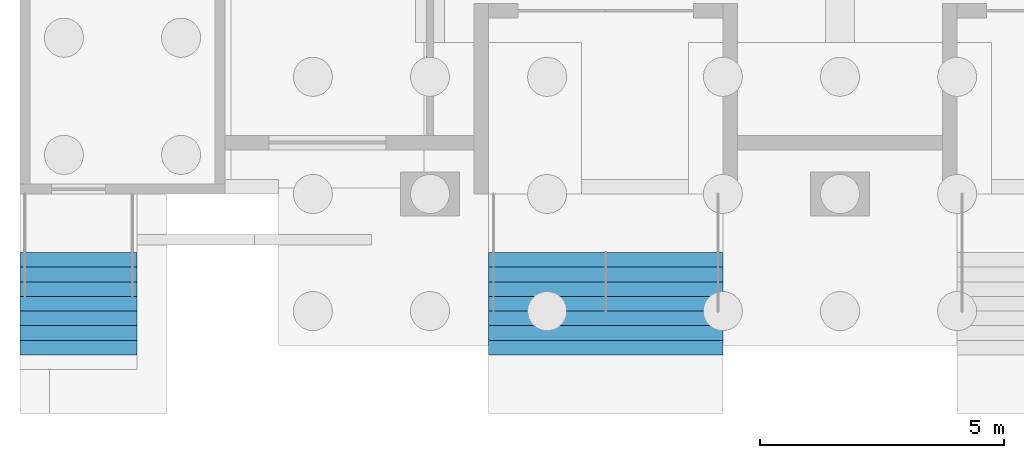
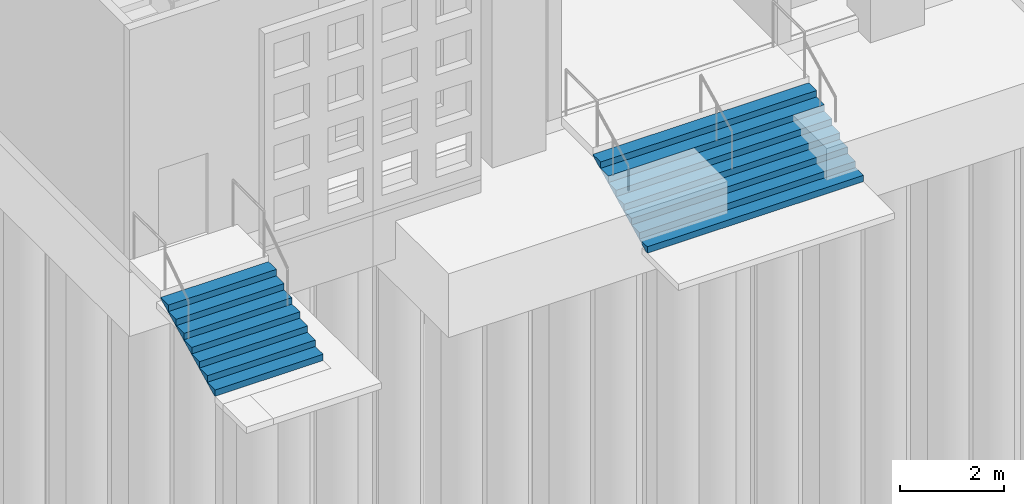
# One storey, part 59 of 129: 2 stair flights, 2 elements without a shape of their own.
"""IFC4 building model written with IfcOpenShell, lengths in metres."""

from ifc_helpers import new_model, si_unit, direction, frame, origin, place, context, subcontext, project, spatial, faceted_brep, material, type_object, element, aggregate, save


model = new_model("IFC4")

# Units and contexts
model_context = context("Model", 3, precision=1e-05, world=origin(), true_north=direction((0.0, 1.0)))
body_context = subcontext(model_context, "Body", "Model", "MODEL_VIEW")
ifc_project = project(units=[si_unit("LENGTHUNIT", "METRE"), si_unit("AREAUNIT", "SQUARE_METRE"), si_unit("VOLUMEUNIT", "CUBIC_METRE"), si_unit("PLANEANGLEUNIT", "RADIAN"), si_unit("MASSUNIT", "GRAM", prefix="KILO")], contexts=[model_context])

# Site, building, storey
site_placement = place(None, origin())
site = spatial("IfcSite", under=ifc_project, at=site_placement, CompositionType="ELEMENT")
building_placement = place(site_placement, origin())
building = spatial("IfcBuilding", under=site, at=building_placement, Name="Kiln Court Media Centre", CompositionType="ELEMENT")
storey_placement = place(building_placement, origin())
storey = spatial("IfcBuildingStorey", under=building, at=storey_placement, Name="L00", CompositionType="ELEMENT", Elevation=0.0)

# Stair, stair flight
ifc_material_1 = material(Name="Concrete C30/37", Category="concrete")
stair_type_1 = type_object("IfcStairType", Name="Concrete C30/37 entrance steps 4800 wide", PredefinedType="STRAIGHT_RUN_STAIR", material=ifc_material_1)
stair_1_placement = place(storey_placement, origin())
stair_1 = element("IfcStair", 1, at=stair_1_placement, inside=storey, type_object=stair_type_1, Name="EN-01 street porch steps", PredefinedType="STRAIGHT_RUN_STAIR")
ifc_material_2 = material(Name="Concrete C30/37", Category="concrete")
stair_flight_type_1 = type_object("IfcStairFlightType", Name="Concrete C30/37 entrance steps 4800 wide flight", PredefinedType="STRAIGHT", material=ifc_material_2)
stair_flight_1_placement = place(storey_placement, frame((12.0, -3.300048828125, -1.199951171875), z_axis=(0.0, 0.0, 1.0), x_axis=(0.0, 1.0, 0.0)))
stair_flight_1 = element("IfcStairFlight", 2, at=stair_flight_1_placement, type_object=stair_flight_type_1, Name="ST-A1 flight 1", NumberOfRisers=8, NumberOfTreads=7, PredefinedType="STRAIGHT", RiserHeight=0.15, TreadLength=0.3, context=body_context, shape_type="Brep", body=[
    faceted_brep([(0.044677734375, -2.39990234375, 0.0), (2.10009765625, -2.39990234375, 1.027587890625), (2.10009765625, -2.39990234375, 1.050048828125), (1.800048828125, -2.39990234375, 1.050048828125), (1.800048828125, -2.39990234375, 0.89990234375), (1.5, -2.39990234375, 0.89990234375), (1.5, -2.39990234375, 0.75), (1.199951171875, -2.39990234375, 0.75), (1.199951171875, -2.39990234375, 0.60009765625), (0.89990234375, -2.39990234375, 0.60009765625), (0.89990234375, -2.39990234375, 0.449951171875), (0.60009765625, -2.39990234375, 0.449951171875), (0.60009765625, -2.39990234375, 0.300048828125), (0.300048828125, -2.39990234375, 0.300048828125), (0.300048828125, -2.39990234375, 0.14990234375), (0.0, -2.39990234375, 0.14990234375), (0.0, -2.39990234375, 0.0), (0.0, 2.39990234375, 0.0), (0.0, 2.39990234375, 0.14990234375), (0.300048828125, 2.39990234375, 0.14990234375), (0.300048828125, 2.39990234375, 0.300048828125), (0.60009765625, 2.39990234375, 0.300048828125), (0.60009765625, 2.39990234375, 0.449951171875), (0.89990234375, 2.39990234375, 0.449951171875), (0.89990234375, 2.39990234375, 0.60009765625), (1.199951171875, 2.39990234375, 0.60009765625), (1.199951171875, 2.39990234375, 0.75), (1.5, 2.39990234375, 0.75), (1.5, 2.39990234375, 0.89990234375), (1.800048828125, 2.39990234375, 0.89990234375), (1.800048828125, 2.39990234375, 1.050048828125), (2.10009765625, 2.39990234375, 1.050048828125), (2.10009765625, 2.39990234375, 1.027587890625), (0.044677734375, 2.39990234375, 0.0), (2.10009765625, 0.10009765625, 1.027587890625), (0.044677734375, 0.10009765625, 0.0), (2.10009765625, 0.080078125, 1.027587890625), (0.044677734375, 0.080078125, 0.0), (2.10009765625, 0.06005859375, 1.027587890625), (0.044677734375, 0.06005859375, 0.0), (2.10009765625, 0.0400390625, 1.027587890625), (0.044677734375, 0.0400390625, 0.0), (2.10009765625, 0.02001953125, 1.027587890625), (0.044677734375, 0.02001953125, 0.0), (2.10009765625, 0.0, 1.027587890625), (0.044677734375, 0.0, 0.0), (2.10009765625, -0.02001953125, 1.027587890625), (0.044677734375, -0.02001953125, 0.0), (2.10009765625, -0.0400390625, 1.027587890625), (0.044677734375, -0.0400390625, 0.0), (2.10009765625, -0.06005859375, 1.027587890625), (0.044677734375, -0.06005859375, 0.0), (2.10009765625, -0.080078125, 1.027587890625), (0.044677734375, -0.080078125, 0.0), (2.10009765625, -0.10009765625, 1.027587890625), (0.044677734375, -0.10009765625, 0.0), (2.10009765625, 0.10009765625, 1.050048828125), (2.10009765625, 0.080078125, 1.050048828125), (2.10009765625, 0.06005859375, 1.050048828125), (2.10009765625, 0.0400390625, 1.050048828125), (2.10009765625, 0.02001953125, 1.050048828125), (2.10009765625, 0.0, 1.050048828125), (2.10009765625, -0.02001953125, 1.050048828125), (2.10009765625, -0.0400390625, 1.050048828125), (2.10009765625, -0.06005859375, 1.050048828125), (2.10009765625, -0.080078125, 1.050048828125), (2.10009765625, -0.10009765625, 1.050048828125), (1.800048828125, 0.10009765625, 1.050048828125), (1.800048828125, 0.080078125, 1.050048828125), (1.800048828125, 0.06005859375, 1.050048828125), (1.800048828125, 0.0400390625, 1.050048828125), (1.800048828125, 0.02001953125, 1.050048828125), (1.800048828125, 0.0, 1.050048828125), (1.800048828125, -0.02001953125, 1.050048828125), (1.800048828125, -0.0400390625, 1.050048828125), (1.800048828125, -0.06005859375, 1.050048828125), (1.800048828125, -0.080078125, 1.050048828125), (1.800048828125, -0.10009765625, 1.050048828125), (1.800048828125, 0.10009765625, 0.89990234375), (1.800048828125, 0.080078125, 0.89990234375), (1.800048828125, 0.06005859375, 0.89990234375), (1.800048828125, 0.0400390625, 0.89990234375), (1.800048828125, 0.02001953125, 0.89990234375), (1.800048828125, 0.0, 0.89990234375), (1.800048828125, -0.02001953125, 0.89990234375), (1.800048828125, -0.0400390625, 0.89990234375), (1.800048828125, -0.06005859375, 0.89990234375), (1.800048828125, -0.080078125, 0.89990234375), (1.800048828125, -0.10009765625, 0.89990234375), (1.5, 0.10009765625, 0.89990234375), (1.5, 0.080078125, 0.89990234375), (1.5, 0.06005859375, 0.89990234375), (1.5, 0.0400390625, 0.89990234375), (1.5, 0.02001953125, 0.89990234375), (1.5, 0.0, 0.89990234375), (1.5, -0.02001953125, 0.89990234375), (1.5, -0.0400390625, 0.89990234375), (1.5, -0.06005859375, 0.89990234375), (1.5, -0.080078125, 0.89990234375), (1.5, -0.10009765625, 0.89990234375), (1.5, 0.10009765625, 0.75), (1.5, 0.080078125, 0.75), (1.5, 0.06005859375, 0.75), (1.5, 0.0400390625, 0.75), (1.5, 0.02001953125, 0.75), (1.5, 0.0, 0.75), (1.5, -0.02001953125, 0.75), (1.5, -0.0400390625, 0.75), (1.5, -0.06005859375, 0.75), (1.5, -0.080078125, 0.75), (1.5, -0.10009765625, 0.75), (1.199951171875, 0.10009765625, 0.75), (1.199951171875, 0.080078125, 0.75), (1.199951171875, 0.06005859375, 0.75), (1.199951171875, 0.0400390625, 0.75), (1.199951171875, 0.02001953125, 0.75), (1.199951171875, 0.0, 0.75), (1.199951171875, -0.02001953125, 0.75), (1.199951171875, -0.0400390625, 0.75), (1.199951171875, -0.06005859375, 0.75), (1.199951171875, -0.080078125, 0.75), (1.199951171875, -0.10009765625, 0.75), (1.199951171875, 0.10009765625, 0.60009765625), (1.199951171875, 0.080078125, 0.60009765625), (1.199951171875, 0.06005859375, 0.60009765625), (1.199951171875, 0.0400390625, 0.60009765625), (1.199951171875, 0.02001953125, 0.60009765625), (1.199951171875, 0.0, 0.60009765625), (1.199951171875, -0.02001953125, 0.60009765625), (1.199951171875, -0.0400390625, 0.60009765625), (1.199951171875, -0.06005859375, 0.60009765625), (1.199951171875, -0.080078125, 0.60009765625), (1.199951171875, -0.10009765625, 0.60009765625), (0.89990234375, 0.10009765625, 0.60009765625), (0.89990234375, 0.080078125, 0.60009765625), (0.89990234375, 0.06005859375, 0.60009765625), (0.89990234375, 0.0400390625, 0.60009765625), (0.89990234375, 0.02001953125, 0.60009765625), (0.89990234375, 0.0, 0.60009765625), (0.89990234375, -0.02001953125, 0.60009765625), (0.89990234375, -0.0400390625, 0.60009765625), (0.89990234375, -0.06005859375, 0.60009765625), (0.89990234375, -0.080078125, 0.60009765625), (0.89990234375, -0.10009765625, 0.60009765625), (0.89990234375, 0.10009765625, 0.449951171875), (0.89990234375, 0.080078125, 0.449951171875), (0.89990234375, 0.06005859375, 0.449951171875), (0.89990234375, 0.0400390625, 0.449951171875), (0.89990234375, 0.02001953125, 0.449951171875), (0.89990234375, 0.0, 0.449951171875), (0.89990234375, -0.02001953125, 0.449951171875), (0.89990234375, -0.0400390625, 0.449951171875), (0.89990234375, -0.06005859375, 0.449951171875), (0.89990234375, -0.080078125, 0.449951171875), (0.89990234375, -0.10009765625, 0.449951171875), (0.60009765625, 0.10009765625, 0.449951171875), (0.60009765625, 0.080078125, 0.449951171875), (0.60009765625, 0.06005859375, 0.449951171875), (0.60009765625, 0.0400390625, 0.449951171875), (0.60009765625, 0.02001953125, 0.449951171875), (0.60009765625, 0.0, 0.449951171875), (0.60009765625, -0.02001953125, 0.449951171875), (0.60009765625, -0.0400390625, 0.449951171875), (0.60009765625, -0.06005859375, 0.449951171875), (0.60009765625, -0.080078125, 0.449951171875), (0.60009765625, -0.10009765625, 0.449951171875), (0.60009765625, 0.10009765625, 0.300048828125), (0.60009765625, 0.080078125, 0.300048828125), (0.60009765625, 0.06005859375, 0.300048828125), (0.60009765625, 0.0400390625, 0.300048828125), (0.60009765625, 0.02001953125, 0.300048828125), (0.60009765625, 0.0, 0.300048828125), (0.60009765625, -0.02001953125, 0.300048828125), (0.60009765625, -0.0400390625, 0.300048828125), (0.60009765625, -0.06005859375, 0.300048828125), (0.60009765625, -0.080078125, 0.300048828125), (0.60009765625, -0.10009765625, 0.300048828125), (0.300048828125, 0.10009765625, 0.300048828125), (0.300048828125, 0.080078125, 0.300048828125), (0.300048828125, 0.06005859375, 0.300048828125), (0.300048828125, 0.0400390625, 0.300048828125), (0.300048828125, 0.02001953125, 0.300048828125), (0.300048828125, 0.0, 0.300048828125), (0.300048828125, -0.02001953125, 0.300048828125), (0.300048828125, -0.0400390625, 0.300048828125), (0.300048828125, -0.06005859375, 0.300048828125), (0.300048828125, -0.080078125, 0.300048828125), (0.300048828125, -0.10009765625, 0.300048828125), (0.300048828125, 0.10009765625, 0.14990234375), (0.300048828125, 0.080078125, 0.14990234375), (0.300048828125, 0.06005859375, 0.14990234375), (0.300048828125, 0.0400390625, 0.14990234375), (0.300048828125, 0.02001953125, 0.14990234375), (0.300048828125, 0.0, 0.14990234375), (0.300048828125, -0.02001953125, 0.14990234375), (0.300048828125, -0.0400390625, 0.14990234375), (0.300048828125, -0.06005859375, 0.14990234375), (0.300048828125, -0.080078125, 0.14990234375), (0.300048828125, -0.10009765625, 0.14990234375), (0.0, 0.10009765625, 0.14990234375), (0.0, 0.080078125, 0.14990234375), (0.0, 0.06005859375, 0.14990234375), (0.0, 0.0400390625, 0.14990234375), (0.0, 0.02001953125, 0.14990234375), (0.0, 0.0, 0.14990234375), (0.0, -0.02001953125, 0.14990234375), (0.0, -0.0400390625, 0.14990234375), (0.0, -0.06005859375, 0.14990234375), (0.0, -0.080078125, 0.14990234375), (0.0, -0.10009765625, 0.14990234375), (0.0, 0.10009765625, 0.0), (0.0, 0.080078125, 0.0), (0.0, 0.06005859375, 0.0), (0.0, 0.0400390625, 0.0), (0.0, 0.02001953125, 0.0), (0.0, 0.0, 0.0), (0.0, -0.02001953125, 0.0), (0.0, -0.0400390625, 0.0), (0.0, -0.06005859375, 0.0), (0.0, -0.080078125, 0.0), (0.0, -0.10009765625, 0.0)], [[[0, 1, 2, 3, 4, 5, 6, 7, 8, 9, 10, 11, 12, 13, 14, 15, 16]], [[17, 18, 19, 20, 21, 22, 23, 24, 25, 26, 27, 28, 29, 30, 31, 32, 33]], [[33, 32, 34, 35]], [[35, 34, 36, 37]], [[37, 36, 38, 39]], [[39, 38, 40, 41]], [[41, 40, 42, 43]], [[43, 42, 44, 45]], [[45, 44, 46, 47]], [[47, 46, 48, 49]], [[49, 48, 50, 51]], [[51, 50, 52, 53]], [[53, 52, 54, 55]], [[55, 54, 1, 0]], [[32, 31, 56, 34]], [[34, 56, 57, 36]], [[36, 57, 58, 38]], [[38, 58, 59, 40]], [[40, 59, 60, 42]], [[42, 60, 61, 44]], [[44, 61, 62, 46]], [[46, 62, 63, 48]], [[48, 63, 64, 50]], [[50, 64, 65, 52]], [[52, 65, 66, 54]], [[54, 66, 2, 1]], [[31, 30, 67, 56]], [[56, 67, 68, 57]], [[57, 68, 69, 58]], [[58, 69, 70, 59]], [[59, 70, 71, 60]], [[60, 71, 72, 61]], [[61, 72, 73, 62]], [[62, 73, 74, 63]], [[63, 74, 75, 64]], [[64, 75, 76, 65]], [[65, 76, 77, 66]], [[66, 77, 3, 2]], [[30, 29, 78, 67]], [[67, 78, 79, 68]], [[68, 79, 80, 69]], [[69, 80, 81, 70]], [[70, 81, 82, 71]], [[71, 82, 83, 72]], [[72, 83, 84, 73]], [[73, 84, 85, 74]], [[74, 85, 86, 75]], [[75, 86, 87, 76]], [[76, 87, 88, 77]], [[77, 88, 4, 3]], [[29, 28, 89, 78]], [[78, 89, 90, 79]], [[79, 90, 91, 80]], [[80, 91, 92, 81]], [[81, 92, 93, 82]], [[82, 93, 94, 83]], [[83, 94, 95, 84]], [[84, 95, 96, 85]], [[85, 96, 97, 86]], [[86, 97, 98, 87]], [[87, 98, 99, 88]], [[88, 99, 5, 4]], [[28, 27, 100, 89]], [[89, 100, 101, 90]], [[90, 101, 102, 91]], [[91, 102, 103, 92]], [[92, 103, 104, 93]], [[93, 104, 105, 94]], [[94, 105, 106, 95]], [[95, 106, 107, 96]], [[96, 107, 108, 97]], [[97, 108, 109, 98]], [[98, 109, 110, 99]], [[99, 110, 6, 5]], [[27, 26, 111, 100]], [[100, 111, 112, 101]], [[101, 112, 113, 102]], [[102, 113, 114, 103]], [[103, 114, 115, 104]], [[104, 115, 116, 105]], [[105, 116, 117, 106]], [[106, 117, 118, 107]], [[107, 118, 119, 108]], [[108, 119, 120, 109]], [[109, 120, 121, 110]], [[110, 121, 7, 6]], [[26, 25, 122, 111]], [[111, 122, 123, 112]], [[112, 123, 124, 113]], [[113, 124, 125, 114]], [[114, 125, 126, 115]], [[115, 126, 127, 116]], [[116, 127, 128, 117]], [[117, 128, 129, 118]], [[118, 129, 130, 119]], [[119, 130, 131, 120]], [[120, 131, 132, 121]], [[121, 132, 8, 7]], [[25, 24, 133, 122]], [[122, 133, 134, 123]], [[123, 134, 135, 124]], [[124, 135, 136, 125]], [[125, 136, 137, 126]], [[126, 137, 138, 127]], [[127, 138, 139, 128]], [[128, 139, 140, 129]], [[129, 140, 141, 130]], [[130, 141, 142, 131]], [[131, 142, 143, 132]], [[132, 143, 9, 8]], [[24, 23, 144, 133]], [[133, 144, 145, 134]], [[134, 145, 146, 135]], [[135, 146, 147, 136]], [[136, 147, 148, 137]], [[137, 148, 149, 138]], [[138, 149, 150, 139]], [[139, 150, 151, 140]], [[140, 151, 152, 141]], [[141, 152, 153, 142]], [[142, 153, 154, 143]], [[143, 154, 10, 9]], [[23, 22, 155, 144]], [[144, 155, 156, 145]], [[145, 156, 157, 146]], [[146, 157, 158, 147]], [[147, 158, 159, 148]], [[148, 159, 160, 149]], [[149, 160, 161, 150]], [[150, 161, 162, 151]], [[151, 162, 163, 152]], [[152, 163, 164, 153]], [[153, 164, 165, 154]], [[154, 165, 11, 10]], [[22, 21, 166, 155]], [[155, 166, 167, 156]], [[156, 167, 168, 157]], [[157, 168, 169, 158]], [[158, 169, 170, 159]], [[159, 170, 171, 160]], [[160, 171, 172, 161]], [[161, 172, 173, 162]], [[162, 173, 174, 163]], [[163, 174, 175, 164]], [[164, 175, 176, 165]], [[165, 176, 12, 11]], [[21, 20, 177, 166]], [[166, 177, 178, 167]], [[167, 178, 179, 168]], [[168, 179, 180, 169]], [[169, 180, 181, 170]], [[170, 181, 182, 171]], [[171, 182, 183, 172]], [[172, 183, 184, 173]], [[173, 184, 185, 174]], [[174, 185, 186, 175]], [[175, 186, 187, 176]], [[176, 187, 13, 12]], [[20, 19, 188, 177]], [[177, 188, 189, 178]], [[178, 189, 190, 179]], [[179, 190, 191, 180]], [[180, 191, 192, 181]], [[181, 192, 193, 182]], [[182, 193, 194, 183]], [[183, 194, 195, 184]], [[184, 195, 196, 185]], [[185, 196, 197, 186]], [[186, 197, 198, 187]], [[187, 198, 14, 13]], [[19, 18, 199, 188]], [[188, 199, 200, 189]], [[189, 200, 201, 190]], [[190, 201, 202, 191]], [[191, 202, 203, 192]], [[192, 203, 204, 193]], [[193, 204, 205, 194]], [[194, 205, 206, 195]], [[195, 206, 207, 196]], [[196, 207, 208, 197]], [[197, 208, 209, 198]], [[198, 209, 15, 14]], [[18, 17, 210, 199]], [[199, 210, 211, 200]], [[200, 211, 212, 201]], [[201, 212, 213, 202]], [[202, 213, 214, 203]], [[203, 214, 215, 204]], [[204, 215, 216, 205]], [[205, 216, 217, 206]], [[206, 217, 218, 207]], [[207, 218, 219, 208]], [[208, 219, 220, 209]], [[209, 220, 16, 15]], [[17, 33, 35, 210]], [[210, 35, 37, 211]], [[211, 37, 39, 212]], [[212, 39, 41, 213]], [[213, 41, 43, 214]], [[214, 43, 45, 215]], [[215, 45, 47, 216]], [[216, 47, 49, 217]], [[217, 49, 51, 218]], [[218, 51, 53, 219]], [[219, 53, 55, 220]], [[220, 55, 0, 16]]]),
])
aggregate(stair_1, [stair_flight_1])

ifc_material_3 = material(Name="Concrete C30/37", Category="concrete")
stair_type_2 = type_object("IfcStairType", Name="Concrete C30/37 porch steps ST-01 street porch", PredefinedType="STRAIGHT_RUN_STAIR", material=ifc_material_3)
stair_2_placement = place(storey_placement, origin())
stair_2 = element("IfcStair", 3, at=stair_2_placement, inside=storey, type_object=stair_type_2, Name="Concrete C30/37 porch steps ST-01 street porch", PredefinedType="STRAIGHT_RUN_STAIR")
ifc_material_4 = material(Name="Concrete C30/37", Category="concrete")
stair_flight_type_2 = type_object("IfcStairFlightType", Name="Concrete C30/37 porch steps ST-01 street porch flight", PredefinedType="STRAIGHT", material=ifc_material_4)
stair_flight_2_placement = place(storey_placement, frame((1.199951171875, -3.300048828125, -1.199951171875), z_axis=(0.0, 0.0, 1.0), x_axis=(0.0, 1.0, 0.0)))
stair_flight_2 = element("IfcStairFlight", 4, at=stair_flight_2_placement, type_object=stair_flight_type_2, Name="ST-E3 flight 1", NumberOfRisers=8, NumberOfTreads=7, PredefinedType="STRAIGHT", RiserHeight=0.15, TreadLength=0.3, context=body_context, shape_type="Brep", body=[
    faceted_brep([(0.044677734375, -1.199951171875, 0.0), (2.10009765625, -1.199951171875, 1.027587890625), (2.10009765625, -1.199951171875, 1.050048828125), (1.800048828125, -1.199951171875, 1.050048828125), (1.800048828125, -1.199951171875, 0.89990234375), (1.5, -1.199951171875, 0.89990234375), (1.5, -1.199951171875, 0.75), (1.199951171875, -1.199951171875, 0.75), (1.199951171875, -1.199951171875, 0.60009765625), (0.89990234375, -1.199951171875, 0.60009765625), (0.89990234375, -1.199951171875, 0.449951171875), (0.60009765625, -1.199951171875, 0.449951171875), (0.60009765625, -1.199951171875, 0.300048828125), (0.300048828125, -1.199951171875, 0.300048828125), (0.300048828125, -1.199951171875, 0.14990234375), (0.0, -1.199951171875, 0.14990234375), (0.0, -1.199951171875, 0.0), (0.0, 1.199951171875, 0.0), (0.0, 1.199951171875, 0.14990234375), (0.300048828125, 1.199951171875, 0.14990234375), (0.300048828125, 1.199951171875, 0.300048828125), (0.60009765625, 1.199951171875, 0.300048828125), (0.60009765625, 1.199951171875, 0.449951171875), (0.89990234375, 1.199951171875, 0.449951171875), (0.89990234375, 1.199951171875, 0.60009765625), (1.199951171875, 1.199951171875, 0.60009765625), (1.199951171875, 1.199951171875, 0.75), (1.5, 1.199951171875, 0.75), (1.5, 1.199951171875, 0.89990234375), (1.800048828125, 1.199951171875, 0.89990234375), (1.800048828125, 1.199951171875, 1.050048828125), (2.10009765625, 1.199951171875, 1.050048828125), (2.10009765625, 1.199951171875, 1.027587890625), (0.044677734375, 1.199951171875, 0.0), (2.10009765625, 0.10009765625, 1.027587890625), (0.044677734375, 0.10009765625, 0.0), (2.10009765625, 0.080078125, 1.027587890625), (0.044677734375, 0.080078125, 0.0), (2.10009765625, 0.06005859375, 1.027587890625), (0.044677734375, 0.06005859375, 0.0), (2.10009765625, 0.0400390625, 1.027587890625), (0.044677734375, 0.0400390625, 0.0), (2.10009765625, 0.02001953125, 1.027587890625), (0.044677734375, 0.02001953125, 0.0), (2.10009765625, 0.0, 1.027587890625), (0.044677734375, 0.0, 0.0), (2.10009765625, -0.02001953125, 1.027587890625), (0.044677734375, -0.02001953125, 0.0), (2.10009765625, -0.0400390625, 1.027587890625), (0.044677734375, -0.0400390625, 0.0), (2.10009765625, -0.06005859375, 1.027587890625), (0.044677734375, -0.06005859375, 0.0), (2.10009765625, -0.080078125, 1.027587890625), (0.044677734375, -0.080078125, 0.0), (2.10009765625, -0.10009765625, 1.027587890625), (0.044677734375, -0.10009765625, 0.0), (2.10009765625, 0.10009765625, 1.050048828125), (2.10009765625, 0.080078125, 1.050048828125), (2.10009765625, 0.06005859375, 1.050048828125), (2.10009765625, 0.0400390625, 1.050048828125), (2.10009765625, 0.02001953125, 1.050048828125), (2.10009765625, 0.0, 1.050048828125), (2.10009765625, -0.02001953125, 1.050048828125), (2.10009765625, -0.0400390625, 1.050048828125), (2.10009765625, -0.06005859375, 1.050048828125), (2.10009765625, -0.080078125, 1.050048828125), (2.10009765625, -0.10009765625, 1.050048828125), (1.800048828125, 0.10009765625, 1.050048828125), (1.800048828125, 0.080078125, 1.050048828125), (1.800048828125, 0.06005859375, 1.050048828125), (1.800048828125, 0.0400390625, 1.050048828125), (1.800048828125, 0.02001953125, 1.050048828125), (1.800048828125, 0.0, 1.050048828125), (1.800048828125, -0.02001953125, 1.050048828125), (1.800048828125, -0.0400390625, 1.050048828125), (1.800048828125, -0.06005859375, 1.050048828125), (1.800048828125, -0.080078125, 1.050048828125), (1.800048828125, -0.10009765625, 1.050048828125), (1.800048828125, 0.10009765625, 0.89990234375), (1.800048828125, 0.080078125, 0.89990234375), (1.800048828125, 0.06005859375, 0.89990234375), (1.800048828125, 0.0400390625, 0.89990234375), (1.800048828125, 0.02001953125, 0.89990234375), (1.800048828125, 0.0, 0.89990234375), (1.800048828125, -0.02001953125, 0.89990234375), (1.800048828125, -0.0400390625, 0.89990234375), (1.800048828125, -0.06005859375, 0.89990234375), (1.800048828125, -0.080078125, 0.89990234375), (1.800048828125, -0.10009765625, 0.89990234375), (1.5, 0.10009765625, 0.89990234375), (1.5, 0.080078125, 0.89990234375), (1.5, 0.06005859375, 0.89990234375), (1.5, 0.0400390625, 0.89990234375), (1.5, 0.02001953125, 0.89990234375), (1.5, 0.0, 0.89990234375), (1.5, -0.02001953125, 0.89990234375), (1.5, -0.0400390625, 0.89990234375), (1.5, -0.06005859375, 0.89990234375), (1.5, -0.080078125, 0.89990234375), (1.5, -0.10009765625, 0.89990234375), (1.5, 0.10009765625, 0.75), (1.5, 0.080078125, 0.75), (1.5, 0.06005859375, 0.75), (1.5, 0.0400390625, 0.75), (1.5, 0.02001953125, 0.75), (1.5, 0.0, 0.75), (1.5, -0.02001953125, 0.75), (1.5, -0.0400390625, 0.75), (1.5, -0.06005859375, 0.75), (1.5, -0.080078125, 0.75), (1.5, -0.10009765625, 0.75), (1.199951171875, 0.10009765625, 0.75), (1.199951171875, 0.080078125, 0.75), (1.199951171875, 0.06005859375, 0.75), (1.199951171875, 0.0400390625, 0.75), (1.199951171875, 0.02001953125, 0.75), (1.199951171875, 0.0, 0.75), (1.199951171875, -0.02001953125, 0.75), (1.199951171875, -0.0400390625, 0.75), (1.199951171875, -0.06005859375, 0.75), (1.199951171875, -0.080078125, 0.75), (1.199951171875, -0.10009765625, 0.75), (1.199951171875, 0.10009765625, 0.60009765625), (1.199951171875, 0.080078125, 0.60009765625), (1.199951171875, 0.06005859375, 0.60009765625), (1.199951171875, 0.0400390625, 0.60009765625), (1.199951171875, 0.02001953125, 0.60009765625), (1.199951171875, 0.0, 0.60009765625), (1.199951171875, -0.02001953125, 0.60009765625), (1.199951171875, -0.0400390625, 0.60009765625), (1.199951171875, -0.06005859375, 0.60009765625), (1.199951171875, -0.080078125, 0.60009765625), (1.199951171875, -0.10009765625, 0.60009765625), (0.89990234375, 0.10009765625, 0.60009765625), (0.89990234375, 0.080078125, 0.60009765625), (0.89990234375, 0.06005859375, 0.60009765625), (0.89990234375, 0.0400390625, 0.60009765625), (0.89990234375, 0.02001953125, 0.60009765625), (0.89990234375, 0.0, 0.60009765625), (0.89990234375, -0.02001953125, 0.60009765625), (0.89990234375, -0.0400390625, 0.60009765625), (0.89990234375, -0.06005859375, 0.60009765625), (0.89990234375, -0.080078125, 0.60009765625), (0.89990234375, -0.10009765625, 0.60009765625), (0.89990234375, 0.10009765625, 0.449951171875), (0.89990234375, 0.080078125, 0.449951171875), (0.89990234375, 0.06005859375, 0.449951171875), (0.89990234375, 0.0400390625, 0.449951171875), (0.89990234375, 0.02001953125, 0.449951171875), (0.89990234375, 0.0, 0.449951171875), (0.89990234375, -0.02001953125, 0.449951171875), (0.89990234375, -0.0400390625, 0.449951171875), (0.89990234375, -0.06005859375, 0.449951171875), (0.89990234375, -0.080078125, 0.449951171875), (0.89990234375, -0.10009765625, 0.449951171875), (0.60009765625, 0.10009765625, 0.449951171875), (0.60009765625, 0.080078125, 0.449951171875), (0.60009765625, 0.06005859375, 0.449951171875), (0.60009765625, 0.0400390625, 0.449951171875), (0.60009765625, 0.02001953125, 0.449951171875), (0.60009765625, 0.0, 0.449951171875), (0.60009765625, -0.02001953125, 0.449951171875), (0.60009765625, -0.0400390625, 0.449951171875), (0.60009765625, -0.06005859375, 0.449951171875), (0.60009765625, -0.080078125, 0.449951171875), (0.60009765625, -0.10009765625, 0.449951171875), (0.60009765625, 0.10009765625, 0.300048828125), (0.60009765625, 0.080078125, 0.300048828125), (0.60009765625, 0.06005859375, 0.300048828125), (0.60009765625, 0.0400390625, 0.300048828125), (0.60009765625, 0.02001953125, 0.300048828125), (0.60009765625, 0.0, 0.300048828125), (0.60009765625, -0.02001953125, 0.300048828125), (0.60009765625, -0.0400390625, 0.300048828125), (0.60009765625, -0.06005859375, 0.300048828125), (0.60009765625, -0.080078125, 0.300048828125), (0.60009765625, -0.10009765625, 0.300048828125), (0.300048828125, 0.10009765625, 0.300048828125), (0.300048828125, 0.080078125, 0.300048828125), (0.300048828125, 0.06005859375, 0.300048828125), (0.300048828125, 0.0400390625, 0.300048828125), (0.300048828125, 0.02001953125, 0.300048828125), (0.300048828125, 0.0, 0.300048828125), (0.300048828125, -0.02001953125, 0.300048828125), (0.300048828125, -0.0400390625, 0.300048828125), (0.300048828125, -0.06005859375, 0.300048828125), (0.300048828125, -0.080078125, 0.300048828125), (0.300048828125, -0.10009765625, 0.300048828125), (0.300048828125, 0.10009765625, 0.14990234375), (0.300048828125, 0.080078125, 0.14990234375), (0.300048828125, 0.06005859375, 0.14990234375), (0.300048828125, 0.0400390625, 0.14990234375), (0.300048828125, 0.02001953125, 0.14990234375), (0.300048828125, 0.0, 0.14990234375), (0.300048828125, -0.02001953125, 0.14990234375), (0.300048828125, -0.0400390625, 0.14990234375), (0.300048828125, -0.06005859375, 0.14990234375), (0.300048828125, -0.080078125, 0.14990234375), (0.300048828125, -0.10009765625, 0.14990234375), (0.0, 0.10009765625, 0.14990234375), (0.0, 0.080078125, 0.14990234375), (0.0, 0.06005859375, 0.14990234375), (0.0, 0.0400390625, 0.14990234375), (0.0, 0.02001953125, 0.14990234375), (0.0, 0.0, 0.14990234375), (0.0, -0.02001953125, 0.14990234375), (0.0, -0.0400390625, 0.14990234375), (0.0, -0.06005859375, 0.14990234375), (0.0, -0.080078125, 0.14990234375), (0.0, -0.10009765625, 0.14990234375), (0.0, 0.10009765625, 0.0), (0.0, 0.080078125, 0.0), (0.0, 0.06005859375, 0.0), (0.0, 0.0400390625, 0.0), (0.0, 0.02001953125, 0.0), (0.0, 0.0, 0.0), (0.0, -0.02001953125, 0.0), (0.0, -0.0400390625, 0.0), (0.0, -0.06005859375, 0.0), (0.0, -0.080078125, 0.0), (0.0, -0.10009765625, 0.0)], [[[0, 1, 2, 3, 4, 5, 6, 7, 8, 9, 10, 11, 12, 13, 14, 15, 16]], [[17, 18, 19, 20, 21, 22, 23, 24, 25, 26, 27, 28, 29, 30, 31, 32, 33]], [[33, 32, 34, 35]], [[35, 34, 36, 37]], [[37, 36, 38, 39]], [[39, 38, 40, 41]], [[41, 40, 42, 43]], [[43, 42, 44, 45]], [[45, 44, 46, 47]], [[47, 46, 48, 49]], [[49, 48, 50, 51]], [[51, 50, 52, 53]], [[53, 52, 54, 55]], [[55, 54, 1, 0]], [[32, 31, 56, 34]], [[34, 56, 57, 36]], [[36, 57, 58, 38]], [[38, 58, 59, 40]], [[40, 59, 60, 42]], [[42, 60, 61, 44]], [[44, 61, 62, 46]], [[46, 62, 63, 48]], [[48, 63, 64, 50]], [[50, 64, 65, 52]], [[52, 65, 66, 54]], [[54, 66, 2, 1]], [[31, 30, 67, 56]], [[56, 67, 68, 57]], [[57, 68, 69, 58]], [[58, 69, 70, 59]], [[59, 70, 71, 60]], [[60, 71, 72, 61]], [[61, 72, 73, 62]], [[62, 73, 74, 63]], [[63, 74, 75, 64]], [[64, 75, 76, 65]], [[65, 76, 77, 66]], [[66, 77, 3, 2]], [[30, 29, 78, 67]], [[67, 78, 79, 68]], [[68, 79, 80, 69]], [[69, 80, 81, 70]], [[70, 81, 82, 71]], [[71, 82, 83, 72]], [[72, 83, 84, 73]], [[73, 84, 85, 74]], [[74, 85, 86, 75]], [[75, 86, 87, 76]], [[76, 87, 88, 77]], [[77, 88, 4, 3]], [[29, 28, 89, 78]], [[78, 89, 90, 79]], [[79, 90, 91, 80]], [[80, 91, 92, 81]], [[81, 92, 93, 82]], [[82, 93, 94, 83]], [[83, 94, 95, 84]], [[84, 95, 96, 85]], [[85, 96, 97, 86]], [[86, 97, 98, 87]], [[87, 98, 99, 88]], [[88, 99, 5, 4]], [[28, 27, 100, 89]], [[89, 100, 101, 90]], [[90, 101, 102, 91]], [[91, 102, 103, 92]], [[92, 103, 104, 93]], [[93, 104, 105, 94]], [[94, 105, 106, 95]], [[95, 106, 107, 96]], [[96, 107, 108, 97]], [[97, 108, 109, 98]], [[98, 109, 110, 99]], [[99, 110, 6, 5]], [[27, 26, 111, 100]], [[100, 111, 112, 101]], [[101, 112, 113, 102]], [[102, 113, 114, 103]], [[103, 114, 115, 104]], [[104, 115, 116, 105]], [[105, 116, 117, 106]], [[106, 117, 118, 107]], [[107, 118, 119, 108]], [[108, 119, 120, 109]], [[109, 120, 121, 110]], [[110, 121, 7, 6]], [[26, 25, 122, 111]], [[111, 122, 123, 112]], [[112, 123, 124, 113]], [[113, 124, 125, 114]], [[114, 125, 126, 115]], [[115, 126, 127, 116]], [[116, 127, 128, 117]], [[117, 128, 129, 118]], [[118, 129, 130, 119]], [[119, 130, 131, 120]], [[120, 131, 132, 121]], [[121, 132, 8, 7]], [[25, 24, 133, 122]], [[122, 133, 134, 123]], [[123, 134, 135, 124]], [[124, 135, 136, 125]], [[125, 136, 137, 126]], [[126, 137, 138, 127]], [[127, 138, 139, 128]], [[128, 139, 140, 129]], [[129, 140, 141, 130]], [[130, 141, 142, 131]], [[131, 142, 143, 132]], [[132, 143, 9, 8]], [[24, 23, 144, 133]], [[133, 144, 145, 134]], [[134, 145, 146, 135]], [[135, 146, 147, 136]], [[136, 147, 148, 137]], [[137, 148, 149, 138]], [[138, 149, 150, 139]], [[139, 150, 151, 140]], [[140, 151, 152, 141]], [[141, 152, 153, 142]], [[142, 153, 154, 143]], [[143, 154, 10, 9]], [[23, 22, 155, 144]], [[144, 155, 156, 145]], [[145, 156, 157, 146]], [[146, 157, 158, 147]], [[147, 158, 159, 148]], [[148, 159, 160, 149]], [[149, 160, 161, 150]], [[150, 161, 162, 151]], [[151, 162, 163, 152]], [[152, 163, 164, 153]], [[153, 164, 165, 154]], [[154, 165, 11, 10]], [[22, 21, 166, 155]], [[155, 166, 167, 156]], [[156, 167, 168, 157]], [[157, 168, 169, 158]], [[158, 169, 170, 159]], [[159, 170, 171, 160]], [[160, 171, 172, 161]], [[161, 172, 173, 162]], [[162, 173, 174, 163]], [[163, 174, 175, 164]], [[164, 175, 176, 165]], [[165, 176, 12, 11]], [[21, 20, 177, 166]], [[166, 177, 178, 167]], [[167, 178, 179, 168]], [[168, 179, 180, 169]], [[169, 180, 181, 170]], [[170, 181, 182, 171]], [[171, 182, 183, 172]], [[172, 183, 184, 173]], [[173, 184, 185, 174]], [[174, 185, 186, 175]], [[175, 186, 187, 176]], [[176, 187, 13, 12]], [[20, 19, 188, 177]], [[177, 188, 189, 178]], [[178, 189, 190, 179]], [[179, 190, 191, 180]], [[180, 191, 192, 181]], [[181, 192, 193, 182]], [[182, 193, 194, 183]], [[183, 194, 195, 184]], [[184, 195, 196, 185]], [[185, 196, 197, 186]], [[186, 197, 198, 187]], [[187, 198, 14, 13]], [[19, 18, 199, 188]], [[188, 199, 200, 189]], [[189, 200, 201, 190]], [[190, 201, 202, 191]], [[191, 202, 203, 192]], [[192, 203, 204, 193]], [[193, 204, 205, 194]], [[194, 205, 206, 195]], [[195, 206, 207, 196]], [[196, 207, 208, 197]], [[197, 208, 209, 198]], [[198, 209, 15, 14]], [[18, 17, 210, 199]], [[199, 210, 211, 200]], [[200, 211, 212, 201]], [[201, 212, 213, 202]], [[202, 213, 214, 203]], [[203, 214, 215, 204]], [[204, 215, 216, 205]], [[205, 216, 217, 206]], [[206, 217, 218, 207]], [[207, 218, 219, 208]], [[208, 219, 220, 209]], [[209, 220, 16, 15]], [[17, 33, 35, 210]], [[210, 35, 37, 211]], [[211, 37, 39, 212]], [[212, 39, 41, 213]], [[213, 41, 43, 214]], [[214, 43, 45, 215]], [[215, 45, 47, 216]], [[216, 47, 49, 217]], [[217, 49, 51, 218]], [[218, 51, 53, 219]], [[219, 53, 55, 220]], [[220, 55, 0, 16]]]),
])
aggregate(stair_2, [stair_flight_2])

save(model, "model.ifc")
